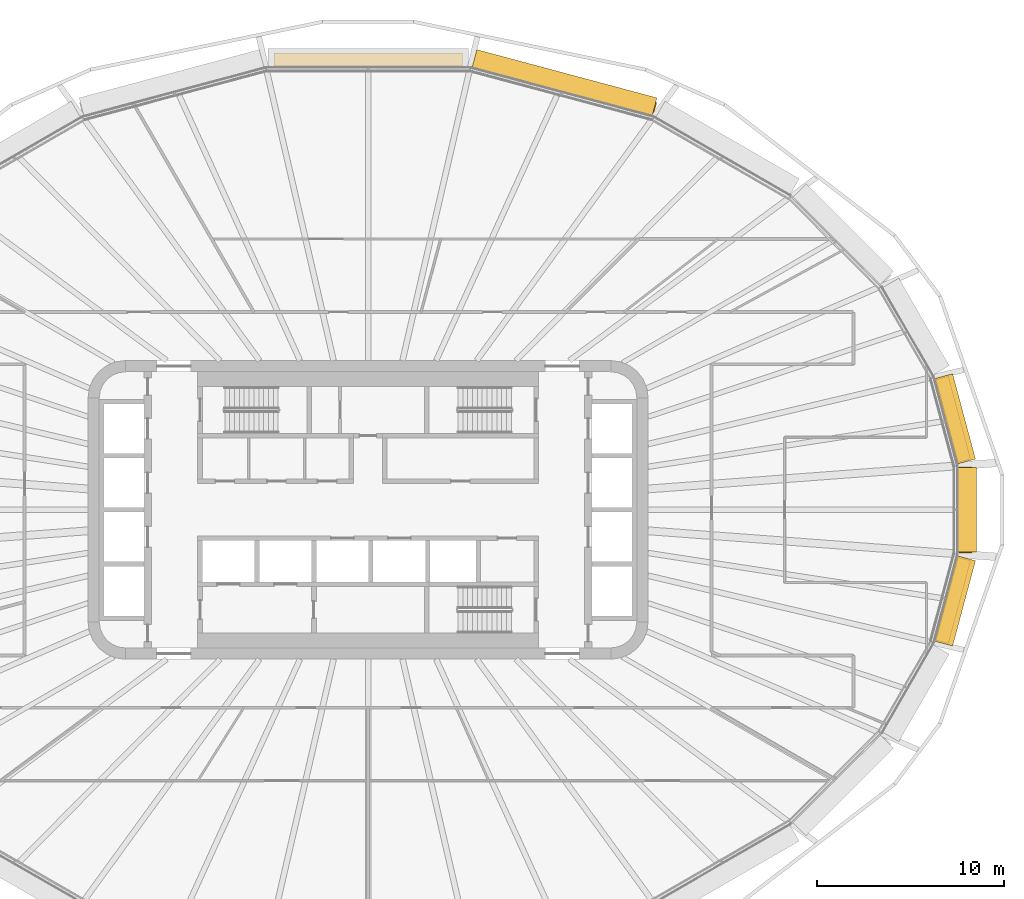
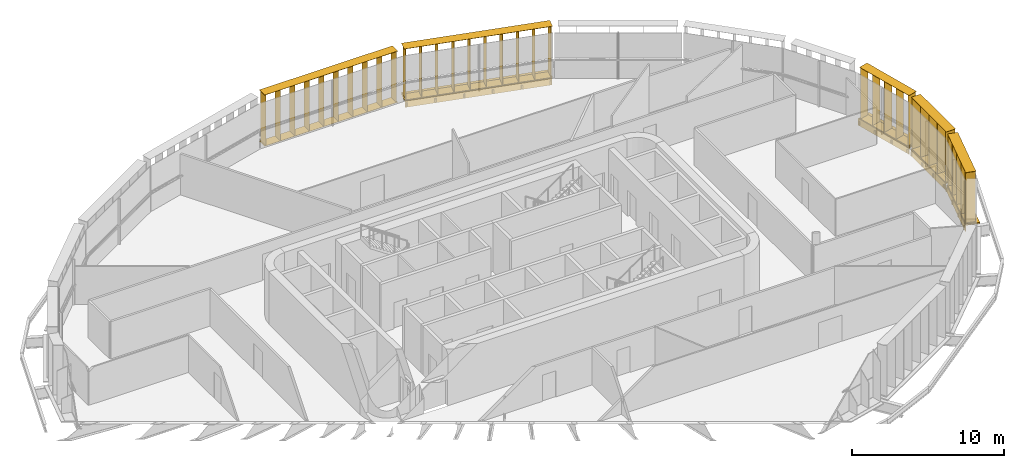
# One storey, part 25 of 25: 9 shading devices.
"""IFC4 building model written with IfcOpenShell, lengths in metres."""

from ifc_helpers import new_model, si_unit, direction, frame, origin, origin_2d, place, context, subcontext, project, spatial, rectangle, extrude, material, type_object, element, save


model = new_model("IFC4")

# Units and contexts
model_context = context("Model", 3, precision=1e-05, world=origin(), true_north=direction((0.0, 1.0)))
body_context = subcontext(model_context, "Body", "Model", "MODEL_VIEW")
ifc_project = project(units=[si_unit("LENGTHUNIT", "METRE"), si_unit("AREAUNIT", "SQUARE_METRE"), si_unit("VOLUMEUNIT", "CUBIC_METRE"), si_unit("PLANEANGLEUNIT", "RADIAN"), si_unit("MASSUNIT", "GRAM", prefix="KILO")], contexts=[model_context])

# Site, building, storey
site_placement = place(None, origin())
site = spatial("IfcSite", under=ifc_project, at=site_placement, CompositionType="ELEMENT")
building_placement = place(site_placement, origin())
building = spatial("IfcBuilding", under=site, at=building_placement, Name="Sahrelin Media Tower", CompositionType="ELEMENT")
storey_placement = place(building_placement, frame((0.0, 0.0, 144.0)))
storey = spatial("IfcBuildingStorey", under=building, at=storey_placement, Name="L29", CompositionType="ELEMENT", Elevation=144.0)

# Shading devices
ifc_material = material(Name="Champagne anodised aluminium 6063-T6", Category="aluminium")
shading_device_type_1 = type_object("IfcShadingDeviceType", Name="Fin cassette", PredefinedType="USERDEFINED", material=ifc_material)
placement_1 = place(storey_placement, frame((31.57861328125, 0.0, 0.0), z_axis=(0.0, 0.0, 1.0), x_axis=(0.0, -1.0, 0.0)))
element("IfcShadingDevice", 1, at=placement_1, inside=storey, type_object=shading_device_type_1, Name="L29:FIN:L29-00", ObjectType="FIN", PredefinedType="USERDEFINED", context=body_context, shape_type="SweptSolid", body=[
    extrude(rectangle(XDim=4.60009765625, YDim=0.699951171875, at=origin_2d()), frame((0.0, 0.419921875, 0.0)), (0.0, 0.0, 1.0), 0.02001953125),
    extrude(rectangle(XDim=4.60009765625, YDim=0.699951171875, at=origin_2d()), frame((0.0, 0.419921875, 4.10009765625)), (0.0, 0.0, 1.0), 0.02001953125),
    extrude(rectangle(XDim=0.02001953125, YDim=0.699951171875, at=origin_2d()), frame((-2.199951171875, 0.419921875, 0.010009765625), z_axis=(0.0, 0.0, 1.0), x_axis=(1.0, 0.0, 0.0)), (0.0, 0.0, 1.0), 4.10009765625),
    extrude(rectangle(XDim=0.02001953125, YDim=0.699951171875, at=origin_2d()), frame((-1.10009765625, 0.419921875, 0.010009765625), z_axis=(0.0, 0.0, 1.0), x_axis=(1.0, 0.0, 0.0)), (0.0, 0.0, 1.0), 4.10009765625),
    extrude(rectangle(XDim=0.02001953125, YDim=0.699951171875, at=origin_2d()), frame((0.0, 0.419921875, 0.010009765625), z_axis=(0.0, 0.0, 1.0), x_axis=(1.0, 0.0, 0.0)), (0.0, 0.0, 1.0), 4.10009765625),
    extrude(rectangle(XDim=0.02001953125, YDim=0.699951171875, at=origin_2d()), frame((1.10009765625, 0.419921875, 0.010009765625), z_axis=(0.0, 0.0, 1.0), x_axis=(1.0, 0.0, 0.0)), (0.0, 0.0, 1.0), 4.10009765625),
    extrude(rectangle(XDim=0.02001953125, YDim=0.699951171875, at=origin_2d()), frame((2.199951171875, 0.419921875, 0.010009765625), z_axis=(0.0, 0.0, 1.0), x_axis=(1.0, 0.0, 0.0)), (0.0, 0.0, 1.0), 4.10009765625),
])
placement_2 = place(storey_placement, frame((30.940185546875, 4.7412109375, 0.0), z_axis=(0.0, 0.0, 1.0), x_axis=(0.258807731996, -0.965928857556, 0.0)))
element("IfcShadingDevice", 2, at=placement_2, inside=storey, type_object=shading_device_type_1, Name="L29:FIN:L29-01", ObjectType="FIN", PredefinedType="USERDEFINED", context=body_context, shape_type="SweptSolid", body=[
    extrude(rectangle(XDim=4.60009765625, YDim=0.699951171875, at=origin_2d()), frame((0.0, 0.419921875, 0.0)), (0.0, 0.0, 1.0), 0.02001953125),
    extrude(rectangle(XDim=4.60009765625, YDim=0.699951171875, at=origin_2d()), frame((0.0, 0.419921875, 4.10009765625)), (0.0, 0.0, 1.0), 0.02001953125),
    extrude(rectangle(XDim=0.02001953125, YDim=0.699951171875, at=origin_2d()), frame((-2.199951171875, 0.419921875, 0.010009765625), z_axis=(0.0, 0.0, 1.0), x_axis=(1.0, 0.0, 0.0)), (0.0, 0.0, 1.0), 4.10009765625),
    extrude(rectangle(XDim=0.02001953125, YDim=0.699951171875, at=origin_2d()), frame((-1.10009765625, 0.419921875, 0.010009765625), z_axis=(0.0, 0.0, 1.0), x_axis=(1.0, 0.0, 0.0)), (0.0, 0.0, 1.0), 4.10009765625),
    extrude(rectangle(XDim=0.02001953125, YDim=0.699951171875, at=origin_2d()), frame((0.0, 0.419921875, 0.010009765625), z_axis=(0.0, 0.0, 1.0), x_axis=(1.0, 0.0, 0.0)), (0.0, 0.0, 1.0), 4.10009765625),
    extrude(rectangle(XDim=0.02001953125, YDim=0.699951171875, at=origin_2d()), frame((1.10009765625, 0.419921875, 0.010009765625), z_axis=(0.0, 0.0, 1.0), x_axis=(1.0, 0.0, 0.0)), (0.0, 0.0, 1.0), 4.10009765625),
    extrude(rectangle(XDim=0.02001953125, YDim=0.699951171875, at=origin_2d()), frame((2.199951171875, 0.419921875, 0.010009765625), z_axis=(0.0, 0.0, 1.0), x_axis=(1.0, 0.0, 0.0)), (0.0, 0.0, 1.0), 4.10009765625),
])
placement_3 = place(storey_placement, frame((10.389404296875, 22.377197265625, 0.0), z_axis=(0.0, 0.0, 1.0), x_axis=(0.965928857556, -0.258807731996, 0.0)))
element("IfcShadingDevice", 3, at=placement_3, inside=storey, type_object=shading_device_type_1, Name="L29:FIN:L29-05", ObjectType="FIN", PredefinedType="USERDEFINED", context=body_context, shape_type="SweptSolid", body=[
    extrude(rectangle(XDim=10.10009765625, YDim=0.699951171875, at=origin_2d()), frame((0.0, 0.419921875, 0.0)), (0.0, 0.0, 1.0), 0.02001953125),
    extrude(rectangle(XDim=10.10009765625, YDim=0.699951171875, at=origin_2d()), frame((0.0, 0.419921875, 4.10009765625)), (0.0, 0.0, 1.0), 0.02001953125),
    extrude(rectangle(XDim=0.02001953125, YDim=0.699951171875, at=origin_2d()), frame((-4.949951171875, 0.419921875, 0.010009765625), z_axis=(0.0, 0.0, 1.0), x_axis=(1.0, 0.0, 0.0)), (0.0, 0.0, 1.0), 4.10009765625),
    extrude(rectangle(XDim=0.02001953125, YDim=0.699951171875, at=origin_2d()), frame((-3.85009765625, 0.419921875, 0.010009765625), z_axis=(0.0, 0.0, 1.0), x_axis=(1.0, 0.0, 0.0)), (0.0, 0.0, 1.0), 4.10009765625),
    extrude(rectangle(XDim=0.02001953125, YDim=0.699951171875, at=origin_2d()), frame((-2.75, 0.419921875, 0.010009765625), z_axis=(0.0, 0.0, 1.0), x_axis=(1.0, 0.0, 0.0)), (0.0, 0.0, 1.0), 4.10009765625),
    extrude(rectangle(XDim=0.02001953125, YDim=0.699951171875, at=origin_2d()), frame((-1.64990234375, 0.419921875, 0.010009765625), z_axis=(0.0, 0.0, 1.0), x_axis=(1.0, 0.0, 0.0)), (0.0, 0.0, 1.0), 4.10009765625),
    extrude(rectangle(XDim=0.02001953125, YDim=0.699951171875, at=origin_2d()), frame((-0.550048828125, 0.419921875, 0.010009765625), z_axis=(0.0, 0.0, 1.0), x_axis=(1.0, 0.0, 0.0)), (0.0, 0.0, 1.0), 4.10009765625),
    extrude(rectangle(XDim=0.02001953125, YDim=0.699951171875, at=origin_2d()), frame((0.550048828125, 0.419921875, 0.010009765625), z_axis=(0.0, 0.0, 1.0), x_axis=(1.0, 0.0, 0.0)), (0.0, 0.0, 1.0), 4.10009765625),
    extrude(rectangle(XDim=0.02001953125, YDim=0.699951171875, at=origin_2d()), frame((1.64990234375, 0.419921875, 0.010009765625), z_axis=(0.0, 0.0, 1.0), x_axis=(1.0, 0.0, 0.0)), (0.0, 0.0, 1.0), 4.10009765625),
    extrude(rectangle(XDim=0.02001953125, YDim=0.699951171875, at=origin_2d()), frame((2.75, 0.419921875, 0.010009765625), z_axis=(0.0, 0.0, 1.0), x_axis=(1.0, 0.0, 0.0)), (0.0, 0.0, 1.0), 4.10009765625),
    extrude(rectangle(XDim=0.02001953125, YDim=0.699951171875, at=origin_2d()), frame((3.85009765625, 0.419921875, 0.010009765625), z_axis=(0.0, 0.0, 1.0), x_axis=(1.0, 0.0, 0.0)), (0.0, 0.0, 1.0), 4.10009765625),
    extrude(rectangle(XDim=0.02001953125, YDim=0.699951171875, at=origin_2d()), frame((4.949951171875, 0.419921875, 0.010009765625), z_axis=(0.0, 0.0, 1.0), x_axis=(1.0, 0.0, 0.0)), (0.0, 0.0, 1.0), 4.10009765625),
])
shading_device_4_placement = place(storey_placement, frame((0.0, 23.69580078125, 0.0), z_axis=(0.0, 0.0, 1.0), x_axis=(1.0, 0.0, 0.0)))
element("IfcShadingDevice", 4, at=shading_device_4_placement, inside=storey, type_object=shading_device_type_1, Name="L29:FIN:L29-06", ObjectType="FIN", PredefinedType="USERDEFINED", context=body_context, shape_type="SweptSolid", body=[
    extrude(rectangle(XDim=10.10009765625, YDim=0.699951171875, at=origin_2d()), frame((0.0, 0.419921875, 0.0)), (0.0, 0.0, 1.0), 0.02001953125),
    extrude(rectangle(XDim=10.10009765625, YDim=0.699951171875, at=origin_2d()), frame((0.0, 0.419921875, 4.10009765625)), (0.0, 0.0, 1.0), 0.02001953125),
    extrude(rectangle(XDim=0.02001953125, YDim=0.699951171875, at=origin_2d()), frame((-4.949951171875, 0.419921875, 0.010009765625), z_axis=(0.0, 0.0, 1.0), x_axis=(1.0, 0.0, 0.0)), (0.0, 0.0, 1.0), 4.10009765625),
    extrude(rectangle(XDim=0.02001953125, YDim=0.699951171875, at=origin_2d()), frame((-3.85009765625, 0.419921875, 0.010009765625), z_axis=(0.0, 0.0, 1.0), x_axis=(1.0, 0.0, 0.0)), (0.0, 0.0, 1.0), 4.10009765625),
    extrude(rectangle(XDim=0.02001953125, YDim=0.699951171875, at=origin_2d()), frame((-2.75, 0.419921875, 0.010009765625), z_axis=(0.0, 0.0, 1.0), x_axis=(1.0, 0.0, 0.0)), (0.0, 0.0, 1.0), 4.10009765625),
    extrude(rectangle(XDim=0.02001953125, YDim=0.699951171875, at=origin_2d()), frame((-1.64990234375, 0.419921875, 0.010009765625), z_axis=(0.0, 0.0, 1.0), x_axis=(1.0, 0.0, 0.0)), (0.0, 0.0, 1.0), 4.10009765625),
    extrude(rectangle(XDim=0.02001953125, YDim=0.699951171875, at=origin_2d()), frame((-0.550048828125, 0.419921875, 0.010009765625), z_axis=(0.0, 0.0, 1.0), x_axis=(1.0, 0.0, 0.0)), (0.0, 0.0, 1.0), 4.10009765625),
    extrude(rectangle(XDim=0.02001953125, YDim=0.699951171875, at=origin_2d()), frame((0.550048828125, 0.419921875, 0.010009765625), z_axis=(0.0, 0.0, 1.0), x_axis=(1.0, 0.0, 0.0)), (0.0, 0.0, 1.0), 4.10009765625),
    extrude(rectangle(XDim=0.02001953125, YDim=0.699951171875, at=origin_2d()), frame((1.64990234375, 0.419921875, 0.010009765625), z_axis=(0.0, 0.0, 1.0), x_axis=(1.0, 0.0, 0.0)), (0.0, 0.0, 1.0), 4.10009765625),
    extrude(rectangle(XDim=0.02001953125, YDim=0.699951171875, at=origin_2d()), frame((2.75, 0.419921875, 0.010009765625), z_axis=(0.0, 0.0, 1.0), x_axis=(1.0, 0.0, 0.0)), (0.0, 0.0, 1.0), 4.10009765625),
    extrude(rectangle(XDim=0.02001953125, YDim=0.699951171875, at=origin_2d()), frame((3.85009765625, 0.419921875, 0.010009765625), z_axis=(0.0, 0.0, 1.0), x_axis=(1.0, 0.0, 0.0)), (0.0, 0.0, 1.0), 4.10009765625),
    extrude(rectangle(XDim=0.02001953125, YDim=0.699951171875, at=origin_2d()), frame((4.949951171875, 0.419921875, 0.010009765625), z_axis=(0.0, 0.0, 1.0), x_axis=(1.0, 0.0, 0.0)), (0.0, 0.0, 1.0), 4.10009765625),
])
placement_4 = place(storey_placement, frame((30.940185546875, -4.7412109375, 0.0), z_axis=(0.0, 0.0, 1.0), x_axis=(-0.258807731996, -0.965928857556, 0.0)))
element("IfcShadingDevice", 5, at=placement_4, inside=storey, type_object=shading_device_type_1, Name="L29:FIN:L29-23", ObjectType="FIN", PredefinedType="USERDEFINED", context=body_context, shape_type="SweptSolid", body=[
    extrude(rectangle(XDim=4.60009765625, YDim=0.699951171875, at=origin_2d()), frame((0.0, 0.419921875, 0.0)), (0.0, 0.0, 1.0), 0.02001953125),
    extrude(rectangle(XDim=4.60009765625, YDim=0.699951171875, at=origin_2d()), frame((0.0, 0.419921875, 4.10009765625)), (0.0, 0.0, 1.0), 0.02001953125),
    extrude(rectangle(XDim=0.02001953125, YDim=0.699951171875, at=origin_2d()), frame((-2.199951171875, 0.419921875, 0.010009765625), z_axis=(0.0, 0.0, 1.0), x_axis=(1.0, 0.0, 0.0)), (0.0, 0.0, 1.0), 4.10009765625),
    extrude(rectangle(XDim=0.02001953125, YDim=0.699951171875, at=origin_2d()), frame((-1.10009765625, 0.419921875, 0.010009765625), z_axis=(0.0, 0.0, 1.0), x_axis=(1.0, 0.0, 0.0)), (0.0, 0.0, 1.0), 4.10009765625),
    extrude(rectangle(XDim=0.02001953125, YDim=0.699951171875, at=origin_2d()), frame((0.0, 0.419921875, 0.010009765625), z_axis=(0.0, 0.0, 1.0), x_axis=(1.0, 0.0, 0.0)), (0.0, 0.0, 1.0), 4.10009765625),
    extrude(rectangle(XDim=0.02001953125, YDim=0.699951171875, at=origin_2d()), frame((1.10009765625, 0.419921875, 0.010009765625), z_axis=(0.0, 0.0, 1.0), x_axis=(1.0, 0.0, 0.0)), (0.0, 0.0, 1.0), 4.10009765625),
    extrude(rectangle(XDim=0.02001953125, YDim=0.699951171875, at=origin_2d()), frame((2.199951171875, 0.419921875, 0.010009765625), z_axis=(0.0, 0.0, 1.0), x_axis=(1.0, 0.0, 0.0)), (0.0, 0.0, 1.0), 4.10009765625),
])
shading_device_type_2 = type_object("IfcShadingDeviceType", Name="Sunshade band", PredefinedType="USERDEFINED", material=ifc_material)
element("IfcShadingDevice", 6, at=placement_1, inside=storey, type_object=shading_device_type_2, Name="L29:SUN:L29-00", ObjectType="SUNSHADE", PredefinedType="USERDEFINED", context=body_context, shape_type="SweptSolid", body=[
    extrude(rectangle(XDim=4.51708984375, YDim=0.050048828125, at=origin_2d()), frame((0.0, 0.044921875, -0.55126953125)), (0.0, 0.0, 1.0), 0.471435546875),
    extrude(rectangle(XDim=4.51708984375, YDim=1.0, at=origin_2d()), frame((0.0, 0.52001953125, -0.080078125)), (0.0, 0.0, 1.0), 0.080078125),
    extrude(rectangle(XDim=0.10009765625, YDim=0.074951171875, at=origin_2d()), frame((-2.158447265625, -0.017578125, -0.47021484375)), (0.0, 0.0, 1.0), 0.300048828125),
    extrude(rectangle(XDim=0.10009765625, YDim=0.074951171875, at=origin_2d()), frame((-0.719482421875, -0.017578125, -0.47021484375)), (0.0, 0.0, 1.0), 0.300048828125),
    extrude(rectangle(XDim=0.10009765625, YDim=0.074951171875, at=origin_2d()), frame((0.719482421875, -0.017578125, -0.47021484375)), (0.0, 0.0, 1.0), 0.300048828125),
    extrude(rectangle(XDim=0.10009765625, YDim=0.074951171875, at=origin_2d()), frame((2.158447265625, -0.017578125, -0.47021484375)), (0.0, 0.0, 1.0), 0.300048828125),
])
element("IfcShadingDevice", 7, at=placement_2, inside=storey, type_object=shading_device_type_2, Name="L29:SUN:L29-01", ObjectType="SUNSHADE", PredefinedType="USERDEFINED", context=body_context, shape_type="SweptSolid", body=[
    extrude(rectangle(XDim=4.7333984375, YDim=0.050048828125, at=origin_2d()), frame((0.0, 0.044921875, -0.55126953125)), (0.0, 0.0, 1.0), 0.471435546875),
    extrude(rectangle(XDim=4.7333984375, YDim=1.0, at=origin_2d()), frame((0.0, 0.52001953125, -0.080078125)), (0.0, 0.0, 1.0), 0.080078125),
    extrude(rectangle(XDim=0.10009765625, YDim=0.074951171875, at=origin_2d()), frame((-2.2666015625, -0.017578125, -0.47021484375)), (0.0, 0.0, 1.0), 0.300048828125),
    extrude(rectangle(XDim=0.10009765625, YDim=0.074951171875, at=origin_2d()), frame((-0.755615234375, -0.017578125, -0.47021484375)), (0.0, 0.0, 1.0), 0.300048828125),
    extrude(rectangle(XDim=0.10009765625, YDim=0.074951171875, at=origin_2d()), frame((0.755615234375, -0.017578125, -0.47021484375)), (0.0, 0.0, 1.0), 0.300048828125),
    extrude(rectangle(XDim=0.10009765625, YDim=0.074951171875, at=origin_2d()), frame((2.2666015625, -0.017578125, -0.47021484375)), (0.0, 0.0, 1.0), 0.300048828125),
])
element("IfcShadingDevice", 8, at=placement_3, inside=storey, type_object=shading_device_type_2, Name="L29:SUN:L29-05", ObjectType="SUNSHADE", PredefinedType="USERDEFINED", context=body_context, shape_type="SweptSolid", body=[
    extrude(rectangle(XDim=9.98779296875, YDim=0.050048828125, at=origin_2d()), frame((0.0, 0.044921875, -0.55126953125)), (0.0, 0.0, 1.0), 0.471435546875),
    extrude(rectangle(XDim=9.98779296875, YDim=1.0, at=origin_2d()), frame((0.0, 0.52001953125, -0.080078125)), (0.0, 0.0, 1.0), 0.080078125),
    extrude(rectangle(XDim=0.10009765625, YDim=0.074951171875, at=origin_2d()), frame((-4.893798828125, -0.017578125, -0.47021484375)), (0.0, 0.0, 1.0), 0.300048828125),
    extrude(rectangle(XDim=0.10009765625, YDim=0.074951171875, at=origin_2d()), frame((-2.936279296875, -0.017578125, -0.47021484375)), (0.0, 0.0, 1.0), 0.300048828125),
    extrude(rectangle(XDim=0.10009765625, YDim=0.074951171875, at=origin_2d()), frame((-0.978759765625, -0.017578125, -0.47021484375)), (0.0, 0.0, 1.0), 0.300048828125),
    extrude(rectangle(XDim=0.10009765625, YDim=0.074951171875, at=origin_2d()), frame((0.978759765625, -0.017578125, -0.47021484375)), (0.0, 0.0, 1.0), 0.300048828125),
    extrude(rectangle(XDim=0.10009765625, YDim=0.074951171875, at=origin_2d()), frame((2.936279296875, -0.017578125, -0.47021484375)), (0.0, 0.0, 1.0), 0.300048828125),
    extrude(rectangle(XDim=0.10009765625, YDim=0.074951171875, at=origin_2d()), frame((4.893798828125, -0.017578125, -0.47021484375)), (0.0, 0.0, 1.0), 0.300048828125),
])
element("IfcShadingDevice", 9, at=placement_4, inside=storey, type_object=shading_device_type_2, Name="L29:SUN:L29-23", ObjectType="SUNSHADE", PredefinedType="USERDEFINED", context=body_context, shape_type="SweptSolid", body=[
    extrude(rectangle(XDim=4.7333984375, YDim=0.050048828125, at=origin_2d()), frame((0.0, 0.044921875, -0.55126953125)), (0.0, 0.0, 1.0), 0.471435546875),
    extrude(rectangle(XDim=4.7333984375, YDim=1.0, at=origin_2d()), frame((0.0, 0.52001953125, -0.080078125)), (0.0, 0.0, 1.0), 0.080078125),
    extrude(rectangle(XDim=0.10009765625, YDim=0.074951171875, at=origin_2d()), frame((-2.2666015625, -0.017578125, -0.47021484375)), (0.0, 0.0, 1.0), 0.300048828125),
    extrude(rectangle(XDim=0.10009765625, YDim=0.074951171875, at=origin_2d()), frame((-0.755615234375, -0.017578125, -0.47021484375)), (0.0, 0.0, 1.0), 0.300048828125),
    extrude(rectangle(XDim=0.10009765625, YDim=0.074951171875, at=origin_2d()), frame((0.755615234375, -0.017578125, -0.47021484375)), (0.0, 0.0, 1.0), 0.300048828125),
    extrude(rectangle(XDim=0.10009765625, YDim=0.074951171875, at=origin_2d()), frame((2.2666015625, -0.017578125, -0.47021484375)), (0.0, 0.0, 1.0), 0.300048828125),
])

save(model, "model.ifc")
